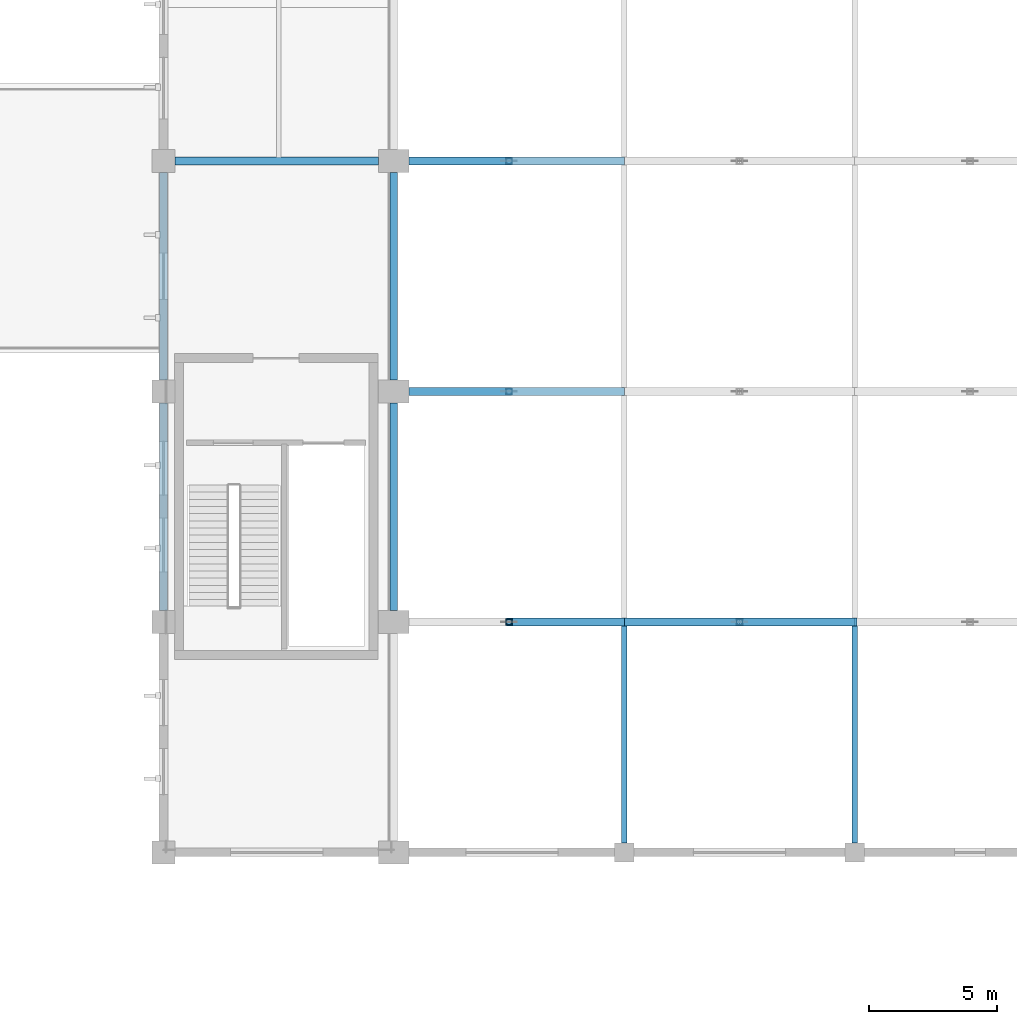
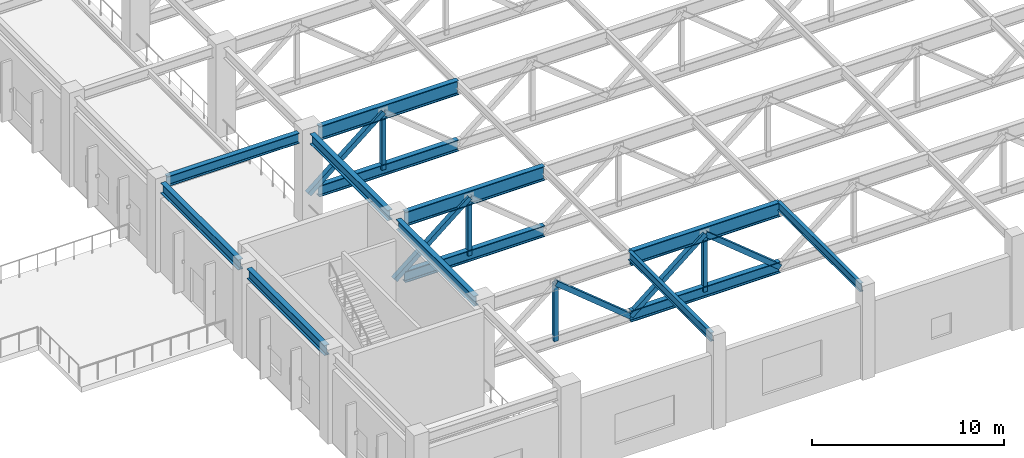
# One storey, part 4 of 223: 13 beams, 9 members.
"""IFC4 building model written with IfcOpenShell, lengths in metres."""

from ifc_helpers import new_model, si_unit, direction, frame, origin, origin_2d, place, context, subcontext, project, spatial, hollow_rectangle, i_section, extrude, material, material_profile, profile_set, type_object, element, save


model = new_model("IFC4")

# Units and contexts
model_context = context("Model", 3, precision=1e-05, world=origin(), true_north=direction((0.0, 1.0)))
body_context = subcontext(model_context, "Body", "Model", "MODEL_VIEW")
ifc_project = project(units=[si_unit("LENGTHUNIT", "METRE"), si_unit("AREAUNIT", "SQUARE_METRE"), si_unit("VOLUMEUNIT", "CUBIC_METRE"), si_unit("PLANEANGLEUNIT", "RADIAN"), si_unit("MASSUNIT", "GRAM", prefix="KILO")], contexts=[model_context])

# Site, building, storey
site_placement = place(None, origin())
site = spatial("IfcSite", under=ifc_project, at=site_placement, CompositionType="ELEMENT")
building_placement = place(site_placement, origin())
building = spatial("IfcBuilding", under=site, at=building_placement, Name="Dornveld Trade and Exhibition Forum", CompositionType="ELEMENT")
storey_placement = place(building_placement, frame((0.0, 0.0, 6.0)))
storey = spatial("IfcBuildingStorey", under=building, at=storey_placement, Name="L01", CompositionType="ELEMENT", Elevation=6.0)

# Beams
ifc_material_1 = material(Name="Steel S355J2", Category="steel")
ifc_material_profile_1 = material_profile(ifc_material_1, i_section(OverallWidth=0.300048828125, OverallDepth=0.64990234375, WebThickness=0.01611328125, FlangeThickness=0.031005859375, FilletRadius=0.027099609375, at=origin_2d()), Name="HEB 650")
ifc_profile_set_1 = profile_set([ifc_material_profile_1], Name="Steel S355J2")
beam_type_1 = type_object("IfcBeamType", Name="BM-GIR-HEB650", PredefinedType="USERDEFINED", material=ifc_profile_set_1)
beam_1_placement = place(storey_placement, frame((18.446044921875, 63.0, 5.324951171875), z_axis=(1.0, 0.0, 0.0), x_axis=(0.0, 1.0, 0.0)))
element("IfcBeam", 1, at=beam_1_placement, inside=storey, type_object=beam_type_1, Name="L01 X-girder 1118", ObjectType="GIRDER", PredefinedType="USERDEFINED", context=body_context, shape_type="SweptSolid", body=[
    extrude(i_section(OverallWidth=0.300048828125, OverallDepth=0.64990234375, WebThickness=0.01611328125, FlangeThickness=0.031005859375, FilletRadius=0.027099609375, at=origin_2d()), origin(), (0.0, 0.0, 1.0), 7.9580078125),
])
for number, where, z_axis, x_axis, name in (
    (2, (18.0, 45.446044921875, 5.324951171875), (0.0, 1.0, 0.0), (-1.0, 0.0, 0.0), "L01 Y-girder 1126"),
    (3, (18.0, 54.446044921875, 5.324951171875), (0.0, 1.0, 0.0), (-1.0, 0.0, 0.0), "L01 Y-girder 1127"),
    (4, (27.0, 45.446044921875, 5.31298828125), (0.0, 1.0, 0.0), (-1.0, 0.0, 0.0), "L01 Y-girder 1136"),
    (5, (27.0, 54.446044921875, 5.31298828125), (0.0, 1.0, 0.0), (-1.0, 0.0, 0.0), "L01 Y-girder 1137"),
):
    element("IfcBeam", number, at=place(storey_placement, frame(where, z_axis=z_axis, x_axis=x_axis)), inside=storey, type_object=beam_type_1, Name=name, ObjectType="GIRDER", PredefinedType="USERDEFINED", context=body_context, shape_type="SweptSolid", body=[
        extrude(i_section(OverallWidth=0.300048828125, OverallDepth=0.64990234375, WebThickness=0.01611328125, FlangeThickness=0.031005859375, FilletRadius=0.027099609375, at=origin_2d()), origin(), (0.0, 0.0, 1.0), 8.10791015625),
    ])
ifc_material_2 = material(Name="Steel S355J2", Category="steel")
ifc_material_profile_2 = material_profile(ifc_material_2, i_section(OverallWidth=0.2099609375, OverallDepth=0.550048828125, WebThickness=0.010986328125, FlangeThickness=0.01708984375, FilletRadius=0.02392578125, at=origin_2d()), Name="IPE 550")
ifc_profile_set_2 = profile_set([ifc_material_profile_2], Name="Steel S355J2")
beam_type_2 = type_object("IfcBeamType", Name="BM-SEC-550", PredefinedType="BEAM", material=ifc_profile_set_2)
for number, where, z_axis, x_axis, name in (
    (6, (36.0, 36.37109375, 5.364990234375), (0.0, 1.0, 0.0), (-1.0, 0.0, 0.0), "Hall 3 secondary deck beam 1374"),
    (7, (45.0, 36.37109375, 5.364990234375), (0.0, 1.0, 0.0), (-1.0, 0.0, 0.0), "Hall 3 secondary deck beam 1385"),
):
    element("IfcBeam", number, at=place(storey_placement, frame(where, z_axis=z_axis, x_axis=x_axis)), inside=storey, type_object=beam_type_2, Name=name, PredefinedType="BEAM", context=body_context, shape_type="SweptSolid", body=[
        extrude(i_section(OverallWidth=0.2099609375, OverallDepth=0.550048828125, WebThickness=0.010986328125, FlangeThickness=0.01708984375, FilletRadius=0.02392578125, at=origin_2d()), origin(), (0.0, 0.0, 1.0), 8.62890625),
    ])
ifc_material_3 = material(Name="Steel S355J2", Category="steel")
ifc_material_profile_3 = material_profile(ifc_material_3, i_section(OverallWidth=0.303955078125, OverallDepth=0.716064453125, WebThickness=0.02099609375, FlangeThickness=0.0400390625, FilletRadius=0.027099609375, at=origin_2d()), Name="HEM 700")
ifc_profile_set_3 = profile_set([ifc_material_profile_3], Name="Steel S355J2")
beam_type_3 = type_object("IfcBeamType", Name="BM-TG-BOT700", PredefinedType="USERDEFINED", material=ifc_profile_set_3)
beam_2_placement = place(storey_placement, frame((36.0, 45.0, 1.5), z_axis=(1.0, 0.0, 0.0), x_axis=(0.0, 1.0, 0.0)))
element("IfcBeam", 8, at=beam_2_placement, inside=storey, type_object=beam_type_3, Name="Hall 3 transfer truss 1 bottom chord 2", ObjectType="GIRDER", PredefinedType="USERDEFINED", context=body_context, shape_type="SweptSolid", body=[
    extrude(i_section(OverallWidth=0.303955078125, OverallDepth=0.716064453125, WebThickness=0.02099609375, FlangeThickness=0.0400390625, FilletRadius=0.027099609375, at=origin_2d()), origin(), (0.0, 0.0, 1.0), 9.0),
])
for number, where, z_axis, x_axis, name in (
    (9, (27.595947265625, 54.0, 1.5), (1.0, 0.0, 0.0), (0.0, 1.0, 0.0), "Hall 3 transfer truss 2 bottom chord 1"),
    (10, (27.595947265625, 63.0, 1.5), (1.0, 0.0, 0.0), (0.0, 1.0, 0.0), "Hall 3 transfer truss 3 bottom chord 1"),
):
    element("IfcBeam", number, at=place(storey_placement, frame(where, z_axis=z_axis, x_axis=x_axis)), inside=storey, type_object=beam_type_3, Name=name, ObjectType="GIRDER", PredefinedType="USERDEFINED", context=body_context, shape_type="SweptSolid", body=[
        extrude(i_section(OverallWidth=0.303955078125, OverallDepth=0.716064453125, WebThickness=0.02099609375, FlangeThickness=0.0400390625, FilletRadius=0.027099609375, at=origin_2d()), origin(), (0.0, 0.0, 1.0), 8.404052734375),
    ])
ifc_material_4 = material(Name="Steel S355J2", Category="steel")
ifc_material_profile_4 = material_profile(ifc_material_4, i_section(OverallWidth=0.302001953125, OverallDepth=0.909912109375, WebThickness=0.02099609375, FlangeThickness=0.0400390625, FilletRadius=0.030029296875, at=origin_2d()), Name="HEM 900")
ifc_profile_set_4 = profile_set([ifc_material_profile_4], Name="Steel S355J2")
beam_type_4 = type_object("IfcBeamType", Name="BM-TG-TOP900", PredefinedType="USERDEFINED", material=ifc_profile_set_4)
beam_3_placement = place(storey_placement, frame((36.0, 45.0, 5.18505859375), z_axis=(1.0, 0.0, 0.0), x_axis=(0.0, 1.0, 0.0)))
element("IfcBeam", 11, at=beam_3_placement, inside=storey, type_object=beam_type_4, Name="Hall 3 transfer truss 1 top chord 2", ObjectType="GIRDER", PredefinedType="USERDEFINED", context=body_context, shape_type="SweptSolid", body=[
    extrude(i_section(OverallWidth=0.302001953125, OverallDepth=0.909912109375, WebThickness=0.02099609375, FlangeThickness=0.0400390625, FilletRadius=0.030029296875, at=origin_2d()), origin(), (0.0, 0.0, 1.0), 9.0),
])
for number, where, z_axis, x_axis, name in (
    (12, (27.595947265625, 54.0, 5.18505859375), (1.0, 0.0, 0.0), (0.0, 1.0, 0.0), "Hall 3 transfer truss 2 top chord 1"),
    (13, (27.595947265625, 63.0, 5.18505859375), (1.0, 0.0, 0.0), (0.0, 1.0, 0.0), "Hall 3 transfer truss 3 top chord 1"),
):
    element("IfcBeam", number, at=place(storey_placement, frame(where, z_axis=z_axis, x_axis=x_axis)), inside=storey, type_object=beam_type_4, Name=name, ObjectType="GIRDER", PredefinedType="USERDEFINED", context=body_context, shape_type="SweptSolid", body=[
        extrude(i_section(OverallWidth=0.302001953125, OverallDepth=0.909912109375, WebThickness=0.02099609375, FlangeThickness=0.0400390625, FilletRadius=0.030029296875, at=origin_2d()), origin(), (0.0, 0.0, 1.0), 8.404052734375),
    ])

# Members
ifc_material_5 = material(Name="Steel S355J2", Category="steel")
ifc_material_profile_5 = material_profile(ifc_material_5, hollow_rectangle(XDim=0.25, YDim=0.25, WallThickness=0.012451171875, at=origin_2d()), Name="SHS 250x250x12.5")
ifc_profile_set_5 = profile_set([ifc_material_profile_5], Name="Steel S355J2")
member_type_1 = type_object("IfcMemberType", Name="MEM-XFER-STR", PredefinedType="STRUT", material=ifc_profile_set_5)
for number, where, z_axis, x_axis, name in (
    (14, (31.5, 45.0, 1.5), (0.0, 0.0, 1.0), (1.0, 0.0, 0.0), "Transfer truss 1 strut 3"),
    (15, (40.5, 45.0, 1.5), (0.0, 0.0, 1.0), (1.0, 0.0, 0.0), "Transfer truss 1 strut 6"),
    (16, (31.5, 54.0, 1.5), (0.0, 0.0, 1.0), (1.0, 0.0, 0.0), "Transfer truss 2 strut 21"),
    (17, (31.5, 63.0, 1.5), (0.0, 0.0, 1.0), (1.0, 0.0, 0.0), "Transfer truss 3 strut 39"),
):
    element("IfcMember", number, at=place(storey_placement, frame(where, z_axis=z_axis, x_axis=x_axis)), inside=storey, type_object=member_type_1, Name=name, PredefinedType="STRUT", context=body_context, shape_type="SweptSolid", body=[
        extrude(hollow_rectangle(XDim=0.25, YDim=0.25, WallThickness=0.012451171875, at=origin_2d()), origin(), (0.0, 0.0, 1.0), 3.68505859375),
    ])
ifc_material_6 = material(Name="Steel S355J2", Category="steel")
ifc_material_profile_6 = material_profile(ifc_material_6, hollow_rectangle(XDim=0.300048828125, YDim=0.300048828125, WallThickness=0.01611328125, at=origin_2d()), Name="SHS 300x300x16")
ifc_profile_set_6 = profile_set([ifc_material_profile_6], Name="Steel S355J2")
member_type_2 = type_object("IfcMemberType", Name="MEM-XFER-WEB", PredefinedType="BRACE", material=ifc_profile_set_6)
for number, where, z_axis, x_axis, name in (
    (18, (36.0, 45.0, 1.5), (-0.773684181611, 0.0, 0.633571453843), (0.0, -1.0, 0.0), "Transfer truss 1 web 2"),
    (19, (36.0, 45.0, 1.5), (0.773684181611, 0.0, 0.633571453843), (0.0, 1.0, 0.0), "Transfer truss 1 web 4"),
    (20, (45.0, 45.0, 1.5), (-0.773684181611, 0.0, 0.633571453843), (0.0, -1.0, 0.0), "Transfer truss 1 web 5"),
    (21, (27.0, 54.0, 1.5), (0.773684181611, 0.0, 0.633571453843), (0.0, 1.0, 0.0), "Transfer truss 2 web 19"),
    (22, (27.0, 63.0, 1.5), (0.773684181611, 0.0, 0.633571453843), (0.0, 1.0, 0.0), "Transfer truss 3 web 37"),
):
    element("IfcMember", number, at=place(storey_placement, frame(where, z_axis=z_axis, x_axis=x_axis)), inside=storey, type_object=member_type_2, Name=name, PredefinedType="BRACE", context=body_context, shape_type="SweptSolid", body=[
        extrude(hollow_rectangle(XDim=0.300048828125, YDim=0.300048828125, WallThickness=0.01611328125, at=origin_2d()), origin(), (0.0, 0.0, 1.0), 5.81640625),
    ])

save(model, "model.ifc")
